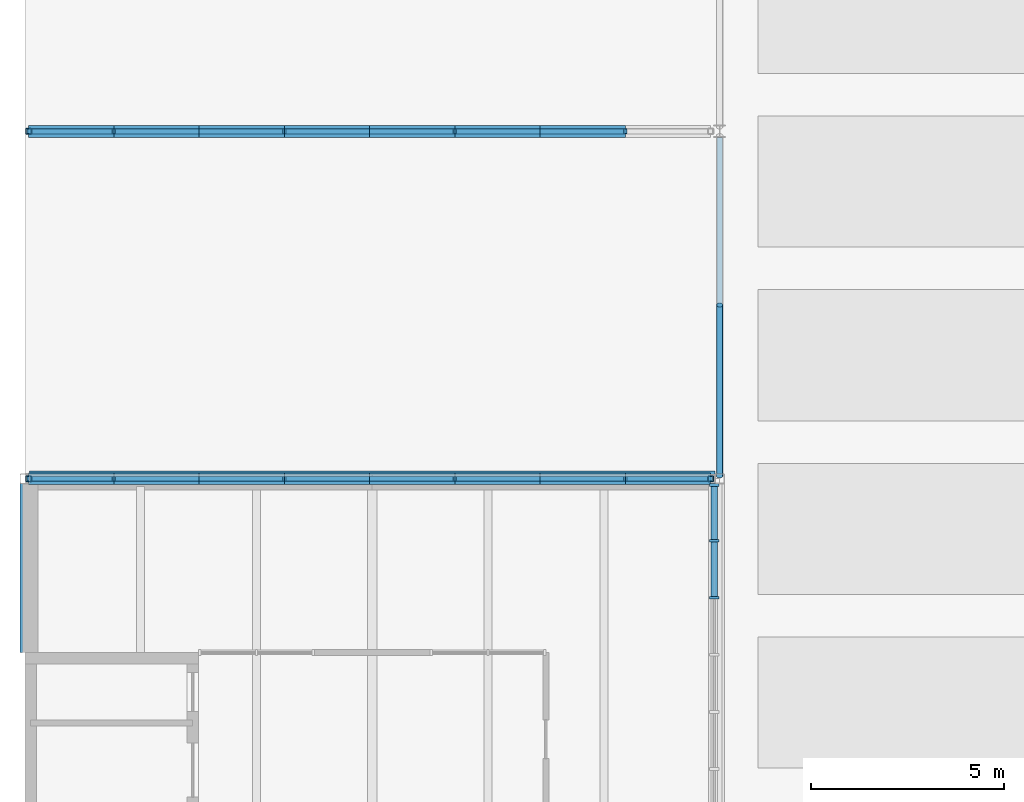
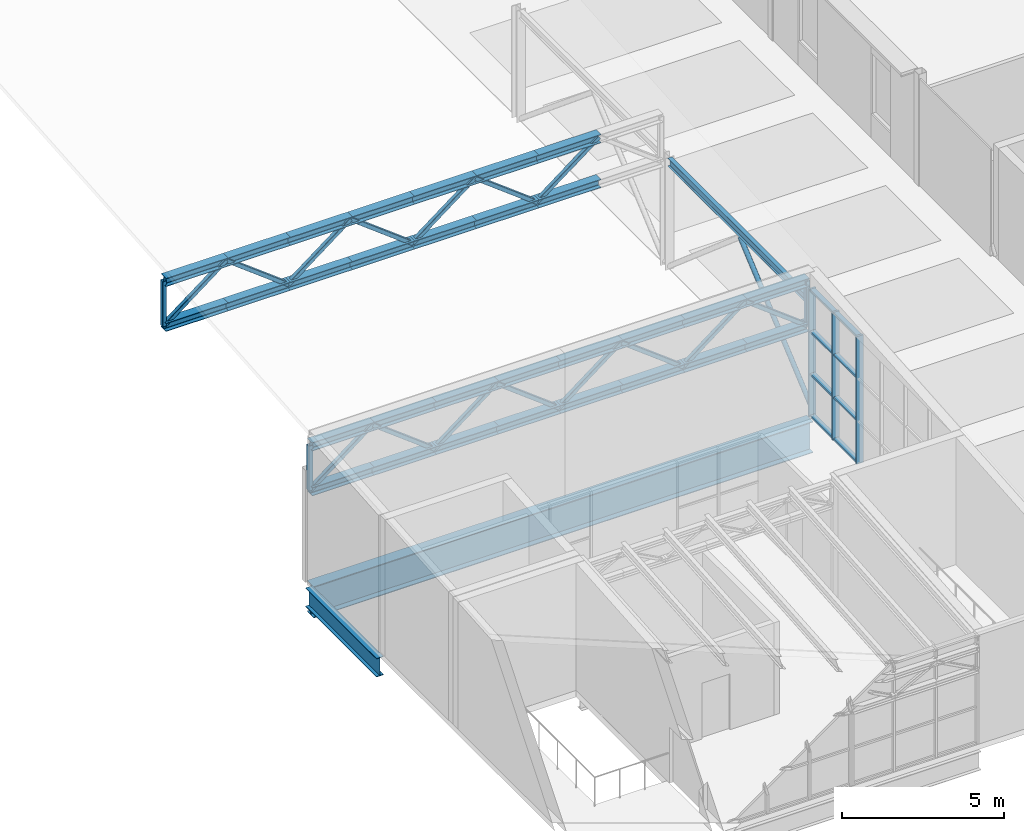
# One storey, part 10 of 61: 60 members, 3 beams, 1 element without a shape of its own.
"""IFC4 building model written with IfcOpenShell, lengths in metres."""

from ifc_helpers import new_model, si_unit, direction, frame, origin, origin_2d, place, context, subcontext, project, spatial, rectangle, hollow_rectangle, hollow_circle, i_section, extrude, material, layer, layer_set, material_profile, profile_set, type_object, element, aggregate, save


model = new_model("IFC4")

# Units and contexts
model_context = context("Model", 3, precision=1e-05, world=origin(), true_north=direction((0.0, 1.0)))
body_context = subcontext(model_context, "Body", "Model", "MODEL_VIEW")
ifc_project = project(units=[si_unit("LENGTHUNIT", "METRE"), si_unit("AREAUNIT", "SQUARE_METRE"), si_unit("VOLUMEUNIT", "CUBIC_METRE"), si_unit("PLANEANGLEUNIT", "RADIAN"), si_unit("MASSUNIT", "GRAM", prefix="KILO")], contexts=[model_context])

# Site, building, storey
site_placement = place(None, origin())
site = spatial("IfcSite", under=ifc_project, at=site_placement, CompositionType="ELEMENT")
building_placement = place(site_placement, origin())
building = spatial("IfcBuilding", under=site, at=building_placement, Name="Halyard Row Museum", CompositionType="ELEMENT")
storey_placement = place(building_placement, frame((0.0, 0.0, 9.199951171875)))
storey = spatial("IfcBuildingStorey", under=building, at=storey_placement, Name="L02", CompositionType="ELEMENT", Elevation=9.199951171875)

# Member
ifc_material_1 = material(Name="Steel Grade C350L0", Category="steel")
ifc_material_profile_1 = material_profile(ifc_material_1, hollow_circle(Radius=0.084228515625, WallThickness=0.007080078125, at=origin_2d()), Name="168.3x7.1CHS")
ifc_profile_set_1 = profile_set([ifc_material_profile_1], Name="Steel Grade C350L0")
member_type_1 = type_object("IfcMemberType", Name="Brace 168.3x7.1CHS", PredefinedType="BRACE", material=ifc_profile_set_1)
member_1_placement = place(storey_placement, frame((18.0, 18.074951171875, 0.084228515625), z_axis=(0.0, 0.762131218853, 0.647422586299), x_axis=(-1.0, 0.0, 0.0)))
element("IfcMember", 1, at=member_1_placement, inside=storey, type_object=member_type_1, Name="Brace L02 X18 18-27 A", PredefinedType="BRACE", context=body_context, shape_type="SweptSolid", body=[
    extrude(hollow_circle(Radius=0.084228515625, WallThickness=0.007080078125, at=origin_2d()), origin(), (0.0, 0.0, 1.0), 5.80615234375),
])

# Beam
ifc_material_2 = material(Name="Steel Grade 300", Category="steel")
ifc_material_profile_2 = material_profile(ifc_material_2, i_section(OverallWidth=0.14892578125, OverallDepth=0.298095703125, WebThickness=0.005615234375, FlangeThickness=0.008056640625, FilletRadius=0.012939453125, at=origin_2d()), Name="310UB32.0")
ifc_profile_set_2 = profile_set([ifc_material_profile_2], Name="Steel Grade 300")
beam_type_1 = type_object("IfcBeamType", Name="Bracing girt 310UB32.0", PredefinedType="BEAM", material=ifc_profile_set_2)
beam_1_placement = place(storey_placement, frame((18.0, 18.125, 4.051025390625), z_axis=(0.0, 1.0, 0.0), x_axis=(-1.0, 0.0, 0.0)))
element("IfcBeam", 2, at=beam_1_placement, inside=storey, type_object=beam_type_1, Name="Auditorium girt L02 18-27", PredefinedType="BEAM", context=body_context, shape_type="SweptSolid", body=[
    extrude(i_section(OverallWidth=0.14892578125, OverallDepth=0.298095703125, WebThickness=0.005615234375, FlangeThickness=0.008056640625, FilletRadius=0.012939453125, at=origin_2d()), origin(), (0.0, 0.0, 1.0), 8.71142578125),
])

# Curtain wall, members
ifc_material_3 = material(Name="Acoustic laminated double glazed unit", Category="glass")
ifc_layer = layer(ifc_material_3, 0.239990234375)
ifc_layer_set = layer_set([ifc_layer], Name="Acoustic laminated double glazed unit")
curtain_wall_type = type_object("IfcCurtainWallType", Name="Curtain wall foyer 240 deep", PredefinedType="NOTDEFINED", material=ifc_layer_set)
curtain_wall_placement = place(storey_placement, origin())
curtain_wall = element("IfcCurtainWall", 3, at=curtain_wall_placement, inside=storey, type_object=curtain_wall_type, Name="Curtain wall CW043", PredefinedType="NOTDEFINED")
ifc_material_4 = material(Name="Powder-coated aluminium section", Category="aluminium")
ifc_material_profile_3 = material_profile(ifc_material_4, rectangle(XDim=0.239990234375, YDim=0.070068359375, at=origin_2d()), Name="240x70 mullion")
ifc_profile_set_3 = profile_set([ifc_material_profile_3], Name="Powder-coated aluminium section")
member_type_2 = type_object("IfcMemberType", Name="Curtain wall mullion CM4 70 x 240", PredefinedType="MULLION", material=ifc_profile_set_3)
member_2_placement = place(storey_placement, frame((17.860107421875, 14.916748046875, 0.0), z_axis=(0.0, 0.0, 1.0), x_axis=(-1.0, 0.0, 0.0)))
member_2 = element("IfcMember", 4, at=member_2_placement, type_object=member_type_2, Name="CW043 mullion 5", PredefinedType="MULLION", context=body_context, shape_type="SweptSolid", body=[
    extrude(rectangle(XDim=0.239990234375, YDim=0.070068359375, at=origin_2d()), origin(), (0.0, 0.0, 1.0), 4.800048828125),
])
member_3_placement = place(storey_placement, frame((17.860107421875, 16.395751953125, 0.0), z_axis=(0.0, 0.0, 1.0), x_axis=(-1.0, 0.0, 0.0)))
member_3 = element("IfcMember", 5, at=member_3_placement, type_object=member_type_2, Name="CW043 mullion 6", PredefinedType="MULLION", context=body_context, shape_type="SweptSolid", body=[
    extrude(rectangle(XDim=0.239990234375, YDim=0.070068359375, at=origin_2d()), origin(), (0.0, 0.0, 1.0), 4.800048828125),
])
member_4_placement = place(storey_placement, frame((17.860107421875, 17.840087890625, 0.0), z_axis=(0.0, 0.0, 1.0), x_axis=(-1.0, 0.0, 0.0)))
member_4 = element("IfcMember", 6, at=member_4_placement, type_object=member_type_2, Name="CW043 mullion 7", PredefinedType="MULLION", context=body_context, shape_type="SweptSolid", body=[
    extrude(rectangle(XDim=0.239990234375, YDim=0.070068359375, at=origin_2d()), origin(), (0.0, 0.0, 1.0), 4.800048828125),
])
ifc_material_5 = material(Name="Powder-coated aluminium section", Category="aluminium")
ifc_material_profile_4 = material_profile(ifc_material_5, rectangle(XDim=0.169921875, YDim=0.070068359375, at=origin_2d()), Name="170x70 transom")
ifc_profile_set_4 = profile_set([ifc_material_profile_4], Name="Powder-coated aluminium section")
member_type_3 = type_object("IfcMemberType", Name="Curtain wall transom CT4 70 x 170", PredefinedType="USERDEFINED", material=ifc_profile_set_4)
member_5_placement = place(storey_placement, frame((17.860107421875, 14.95166015625, 0.03515625), z_axis=(0.0, 1.0, 0.0), x_axis=(-1.0, 0.0, 0.0)))
member_5 = element("IfcMember", 7, at=member_5_placement, type_object=member_type_3, Name="CW043 transom 5.1", ObjectType="TRANSOM", PredefinedType="USERDEFINED", context=body_context, shape_type="SweptSolid", body=[
    extrude(rectangle(XDim=0.169921875, YDim=0.070068359375, at=origin_2d()), origin(), (0.0, 0.0, 1.0), 1.4091796875),
])
member_6_placement = place(storey_placement, frame((17.860107421875, 14.95166015625, 1.60009765625), z_axis=(0.0, 1.0, 0.0), x_axis=(-1.0, 0.0, 0.0)))
member_6 = element("IfcMember", 8, at=member_6_placement, type_object=member_type_3, Name="CW043 transom 5.2", ObjectType="TRANSOM", PredefinedType="USERDEFINED", context=body_context, shape_type="SweptSolid", body=[
    extrude(rectangle(XDim=0.169921875, YDim=0.070068359375, at=origin_2d()), origin(), (0.0, 0.0, 1.0), 1.4091796875),
])
member_7_placement = place(storey_placement, frame((17.860107421875, 14.95166015625, 3.199951171875), z_axis=(0.0, 1.0, 0.0), x_axis=(-1.0, 0.0, 0.0)))
member_7 = element("IfcMember", 9, at=member_7_placement, type_object=member_type_3, Name="CW043 transom 5.3", ObjectType="TRANSOM", PredefinedType="USERDEFINED", context=body_context, shape_type="SweptSolid", body=[
    extrude(rectangle(XDim=0.169921875, YDim=0.070068359375, at=origin_2d()), origin(), (0.0, 0.0, 1.0), 1.4091796875),
])
member_8_placement = place(storey_placement, frame((17.860107421875, 14.95166015625, 4.76513671875), z_axis=(0.0, 1.0, 0.0), x_axis=(-1.0, 0.0, 0.0)))
member_8 = element("IfcMember", 10, at=member_8_placement, type_object=member_type_3, Name="CW043 transom 5.4", ObjectType="TRANSOM", PredefinedType="USERDEFINED", context=body_context, shape_type="SweptSolid", body=[
    extrude(rectangle(XDim=0.169921875, YDim=0.070068359375, at=origin_2d()), origin(), (0.0, 0.0, 1.0), 1.4091796875),
])
member_9_placement = place(storey_placement, frame((17.860107421875, 16.430908203125, 0.03515625), z_axis=(0.0, 1.0, 0.0), x_axis=(-1.0, 0.0, 0.0)))
member_9 = element("IfcMember", 11, at=member_9_placement, type_object=member_type_3, Name="CW043 transom 6.1", ObjectType="TRANSOM", PredefinedType="USERDEFINED", context=body_context, shape_type="SweptSolid", body=[
    extrude(rectangle(XDim=0.169921875, YDim=0.070068359375, at=origin_2d()), origin(), (0.0, 0.0, 1.0), 1.3740234375),
])
member_10_placement = place(storey_placement, frame((17.860107421875, 16.430908203125, 1.60009765625), z_axis=(0.0, 1.0, 0.0), x_axis=(-1.0, 0.0, 0.0)))
member_10 = element("IfcMember", 12, at=member_10_placement, type_object=member_type_3, Name="CW043 transom 6.2", ObjectType="TRANSOM", PredefinedType="USERDEFINED", context=body_context, shape_type="SweptSolid", body=[
    extrude(rectangle(XDim=0.169921875, YDim=0.070068359375, at=origin_2d()), origin(), (0.0, 0.0, 1.0), 1.3740234375),
])
member_11_placement = place(storey_placement, frame((17.860107421875, 16.430908203125, 3.199951171875), z_axis=(0.0, 1.0, 0.0), x_axis=(-1.0, 0.0, 0.0)))
member_11 = element("IfcMember", 13, at=member_11_placement, type_object=member_type_3, Name="CW043 transom 6.3", ObjectType="TRANSOM", PredefinedType="USERDEFINED", context=body_context, shape_type="SweptSolid", body=[
    extrude(rectangle(XDim=0.169921875, YDim=0.070068359375, at=origin_2d()), origin(), (0.0, 0.0, 1.0), 1.3740234375),
])
member_12_placement = place(storey_placement, frame((17.860107421875, 16.430908203125, 4.76513671875), z_axis=(0.0, 1.0, 0.0), x_axis=(-1.0, 0.0, 0.0)))
member_12 = element("IfcMember", 14, at=member_12_placement, type_object=member_type_3, Name="CW043 transom 6.4", ObjectType="TRANSOM", PredefinedType="USERDEFINED", context=body_context, shape_type="SweptSolid", body=[
    extrude(rectangle(XDim=0.169921875, YDim=0.070068359375, at=origin_2d()), origin(), (0.0, 0.0, 1.0), 1.3740234375),
])
aggregate(curtain_wall, [member_2, member_3, member_4, member_5, member_6, member_7, member_8, member_9, member_10, member_11, member_12])

# Beams
ifc_material_6 = material(Name="Steel Grade 300", Category="steel")
ifc_material_profile_5 = material_profile(ifc_material_6, i_section(OverallWidth=0.25, OverallDepth=0.699951171875, WebThickness=0.010009765625, FlangeThickness=0.02001953125, at=origin_2d()), Name="700WB130")
ifc_profile_set_5 = profile_set([ifc_material_profile_5], Name="Steel Grade 300")
beam_type_2 = type_object("IfcBeamType", Name="Edge beam 700WB130 (lowered 35)", PredefinedType="BEAM", material=ifc_profile_set_5)
beam_2_placement = place(storey_placement, frame((0.0, 13.5, -0.550048828125), z_axis=(0.0, 1.0, 0.0), x_axis=(-1.0, 0.0, 0.0)))
element("IfcBeam", 15, at=beam_2_placement, inside=storey, type_object=beam_type_2, Name="Beam L02-045", PredefinedType="BEAM", context=body_context, shape_type="SweptSolid", body=[
    extrude(i_section(OverallWidth=0.25, OverallDepth=0.699951171875, WebThickness=0.010009765625, FlangeThickness=0.02001953125, at=origin_2d()), origin(), (0.0, 0.0, 1.0), 4.375),
])
ifc_material_7 = material(Name="Steel Grade 300", Category="steel")
ifc_material_profile_6 = material_profile(ifc_material_7, i_section(OverallWidth=0.39990234375, OverallDepth=1.176025390625, WebThickness=0.01611328125, FlangeThickness=0.028076171875, at=origin_2d()), Name="1200WB317")
ifc_profile_set_6 = profile_set([ifc_material_profile_6], Name="Steel Grade 300")
beam_type_3 = type_object("IfcBeamType", Name="Long span beam 1200WB317 (lowered 35)", PredefinedType="BEAM", material=ifc_profile_set_6)
beam_3_placement = place(storey_placement, frame((0.125, 18.0, -0.787841796875), z_axis=(1.0, 0.0, 0.0), x_axis=(0.0, 1.0, 0.0)))
element("IfcBeam", 16, at=beam_3_placement, inside=storey, type_object=beam_type_3, Name="Beam L02-011", PredefinedType="BEAM", context=body_context, shape_type="SweptSolid", body=[
    extrude(i_section(OverallWidth=0.39990234375, OverallDepth=1.176025390625, WebThickness=0.01611328125, FlangeThickness=0.028076171875, at=origin_2d()), origin(), (0.0, 0.0, 1.0), 17.75),
])

# Members
ifc_material_8 = material(Name="Steel Grade 300", Category="steel")
ifc_material_profile_7 = material_profile(ifc_material_8, i_section(OverallWidth=0.306884765625, OverallDepth=0.314697265625, WebThickness=0.011962890625, FlangeThickness=0.018798828125, FilletRadius=0.0166015625, at=origin_2d()), Name="310UC118")
ifc_profile_set_7 = profile_set([ifc_material_profile_7], Name="Steel Grade 300")
member_type_4 = type_object("IfcMemberType", Name="Truss chord 310UC118 bottom hall", PredefinedType="CHORD", material=ifc_profile_set_7)
member_13_placement = place(storey_placement, frame((0.10009765625, 18.0, 3.347900390625), z_axis=(1.0, 0.0, 0.0), x_axis=(0.0, 1.0, 0.0)))
element("IfcMember", 17, at=member_13_placement, inside=storey, type_object=member_type_4, Name="V3-RT1 bottom chord 1", PredefinedType="CHORD", context=body_context, shape_type="SweptSolid", body=[
    extrude(i_section(OverallWidth=0.306884765625, OverallDepth=0.314697265625, WebThickness=0.011962890625, FlangeThickness=0.018798828125, FilletRadius=0.0166015625, at=origin_2d()), origin(), (0.0, 0.0, 1.0), 2.20849609375),
])
for number, where, z_axis, x_axis, name in (
    (18, (2.30859375, 18.0, 3.347900390625), (1.0, 0.0, 0.0), (0.0, 1.0, 0.0), "V3-RT1 bottom chord 2"),
    (19, (4.517333984375, 18.0, 3.347900390625), (1.0, 0.0, 0.0), (0.0, 1.0, 0.0), "V3-RT1 bottom chord 3"),
    (20, (6.72607421875, 18.0, 3.347900390625), (1.0, 0.0, 0.0), (0.0, 1.0, 0.0), "V3-RT1 bottom chord 4"),
    (21, (8.934814453125, 18.0, 3.347900390625), (1.0, 0.0, 0.0), (0.0, 1.0, 0.0), "V3-RT1 bottom chord 5"),
):
    element("IfcMember", number, at=place(storey_placement, frame(where, z_axis=z_axis, x_axis=x_axis)), inside=storey, type_object=member_type_4, Name=name, PredefinedType="CHORD", context=body_context, shape_type="SweptSolid", body=[
        extrude(i_section(OverallWidth=0.306884765625, OverallDepth=0.314697265625, WebThickness=0.011962890625, FlangeThickness=0.018798828125, FilletRadius=0.0166015625, at=origin_2d()), origin(), (0.0, 0.0, 1.0), 2.208740234375),
    ])
member_14_placement = place(storey_placement, frame((11.1435546875, 18.0, 3.347900390625), z_axis=(1.0, 0.0, 0.0), x_axis=(0.0, 1.0, 0.0)))
element("IfcMember", 22, at=member_14_placement, inside=storey, type_object=member_type_4, Name="V3-RT1 bottom chord 6", PredefinedType="CHORD", context=body_context, shape_type="SweptSolid", body=[
    extrude(i_section(OverallWidth=0.306884765625, OverallDepth=0.314697265625, WebThickness=0.011962890625, FlangeThickness=0.018798828125, FilletRadius=0.0166015625, at=origin_2d()), origin(), (0.0, 0.0, 1.0), 2.20849609375),
])
for number, where, z_axis, x_axis, name in (
    (23, (13.35205078125, 18.0, 3.347900390625), (1.0, 0.0, 0.0), (0.0, 1.0, 0.0), "V3-RT1 bottom chord 7"),
    (24, (15.560791015625, 18.0, 3.347900390625), (1.0, 0.0, 0.0), (0.0, 1.0, 0.0), "V3-RT1 bottom chord 8"),
):
    element("IfcMember", number, at=place(storey_placement, frame(where, z_axis=z_axis, x_axis=x_axis)), inside=storey, type_object=member_type_4, Name=name, PredefinedType="CHORD", context=body_context, shape_type="SweptSolid", body=[
        extrude(i_section(OverallWidth=0.306884765625, OverallDepth=0.314697265625, WebThickness=0.011962890625, FlangeThickness=0.018798828125, FilletRadius=0.0166015625, at=origin_2d()), origin(), (0.0, 0.0, 1.0), 2.208740234375),
    ])
member_15_placement = place(storey_placement, frame((0.10009765625, 27.0, 4.06787109375), z_axis=(1.0, 0.0, 0.0), x_axis=(0.0, 1.0, 0.0)))
element("IfcMember", 25, at=member_15_placement, inside=storey, type_object=member_type_4, Name="V3-RT2 bottom chord 1", PredefinedType="CHORD", context=body_context, shape_type="SweptSolid", body=[
    extrude(i_section(OverallWidth=0.306884765625, OverallDepth=0.314697265625, WebThickness=0.011962890625, FlangeThickness=0.018798828125, FilletRadius=0.0166015625, at=origin_2d()), origin(), (0.0, 0.0, 1.0), 2.20849609375),
])
for number, where, z_axis, x_axis, name in (
    (26, (2.30859375, 27.0, 4.06787109375), (1.0, 0.0, 0.0), (0.0, 1.0, 0.0), "V3-RT2 bottom chord 2"),
    (27, (4.517333984375, 27.0, 4.06787109375), (1.0, 0.0, 0.0), (0.0, 1.0, 0.0), "V3-RT2 bottom chord 3"),
    (28, (6.72607421875, 27.0, 4.06787109375), (1.0, 0.0, 0.0), (0.0, 1.0, 0.0), "V3-RT2 bottom chord 4"),
    (29, (8.934814453125, 27.0, 4.06787109375), (1.0, 0.0, 0.0), (0.0, 1.0, 0.0), "V3-RT2 bottom chord 5"),
):
    element("IfcMember", number, at=place(storey_placement, frame(where, z_axis=z_axis, x_axis=x_axis)), inside=storey, type_object=member_type_4, Name=name, PredefinedType="CHORD", context=body_context, shape_type="SweptSolid", body=[
        extrude(i_section(OverallWidth=0.306884765625, OverallDepth=0.314697265625, WebThickness=0.011962890625, FlangeThickness=0.018798828125, FilletRadius=0.0166015625, at=origin_2d()), origin(), (0.0, 0.0, 1.0), 2.208740234375),
    ])
member_16_placement = place(storey_placement, frame((11.1435546875, 27.0, 4.06787109375), z_axis=(1.0, 0.0, 0.0), x_axis=(0.0, 1.0, 0.0)))
element("IfcMember", 30, at=member_16_placement, inside=storey, type_object=member_type_4, Name="V3-RT2 bottom chord 6", PredefinedType="CHORD", context=body_context, shape_type="SweptSolid", body=[
    extrude(i_section(OverallWidth=0.306884765625, OverallDepth=0.314697265625, WebThickness=0.011962890625, FlangeThickness=0.018798828125, FilletRadius=0.0166015625, at=origin_2d()), origin(), (0.0, 0.0, 1.0), 2.20849609375),
])
member_17_placement = place(storey_placement, frame((13.35205078125, 27.0, 4.06787109375), z_axis=(1.0, 0.0, 0.0), x_axis=(0.0, 1.0, 0.0)))
element("IfcMember", 31, at=member_17_placement, inside=storey, type_object=member_type_4, Name="V3-RT2 bottom chord 7", PredefinedType="CHORD", context=body_context, shape_type="SweptSolid", body=[
    extrude(i_section(OverallWidth=0.306884765625, OverallDepth=0.314697265625, WebThickness=0.011962890625, FlangeThickness=0.018798828125, FilletRadius=0.0166015625, at=origin_2d()), origin(), (0.0, 0.0, 1.0), 2.208740234375),
])
ifc_material_9 = material(Name="Steel Grade 300", Category="steel")
ifc_material_profile_8 = material_profile(ifc_material_9, i_section(OverallWidth=0.306884765625, OverallDepth=0.314697265625, WebThickness=0.011962890625, FlangeThickness=0.018798828125, FilletRadius=0.0166015625, at=origin_2d()), Name="310UC118")
ifc_profile_set_8 = profile_set([ifc_material_profile_8], Name="Steel Grade 300")
member_type_5 = type_object("IfcMemberType", Name="Truss chord 310UC118 top hall", PredefinedType="CHORD", material=ifc_profile_set_8)
member_18_placement = place(storey_placement, frame((0.10009765625, 18.0, 5.033203125), z_axis=(1.0, 0.0, 0.0), x_axis=(0.0, 1.0, 0.0)))
element("IfcMember", 32, at=member_18_placement, inside=storey, type_object=member_type_5, Name="V3-RT1 top chord 1", PredefinedType="CHORD", context=body_context, shape_type="SweptSolid", body=[
    extrude(i_section(OverallWidth=0.306884765625, OverallDepth=0.314697265625, WebThickness=0.011962890625, FlangeThickness=0.018798828125, FilletRadius=0.0166015625, at=origin_2d()), origin(), (0.0, 0.0, 1.0), 2.20849609375),
])
for number, where, z_axis, x_axis, name in (
    (33, (2.30859375, 18.0, 5.033203125), (1.0, 0.0, 0.0), (0.0, 1.0, 0.0), "V3-RT1 top chord 2"),
    (34, (4.517333984375, 18.0, 5.033203125), (1.0, 0.0, 0.0), (0.0, 1.0, 0.0), "V3-RT1 top chord 3"),
    (35, (6.72607421875, 18.0, 5.033203125), (1.0, 0.0, 0.0), (0.0, 1.0, 0.0), "V3-RT1 top chord 4"),
    (36, (8.934814453125, 18.0, 5.033203125), (1.0, 0.0, 0.0), (0.0, 1.0, 0.0), "V3-RT1 top chord 5"),
):
    element("IfcMember", number, at=place(storey_placement, frame(where, z_axis=z_axis, x_axis=x_axis)), inside=storey, type_object=member_type_5, Name=name, PredefinedType="CHORD", context=body_context, shape_type="SweptSolid", body=[
        extrude(i_section(OverallWidth=0.306884765625, OverallDepth=0.314697265625, WebThickness=0.011962890625, FlangeThickness=0.018798828125, FilletRadius=0.0166015625, at=origin_2d()), origin(), (0.0, 0.0, 1.0), 2.208740234375),
    ])
member_19_placement = place(storey_placement, frame((11.1435546875, 18.0, 5.033203125), z_axis=(1.0, 0.0, 0.0), x_axis=(0.0, 1.0, 0.0)))
element("IfcMember", 37, at=member_19_placement, inside=storey, type_object=member_type_5, Name="V3-RT1 top chord 6", PredefinedType="CHORD", context=body_context, shape_type="SweptSolid", body=[
    extrude(i_section(OverallWidth=0.306884765625, OverallDepth=0.314697265625, WebThickness=0.011962890625, FlangeThickness=0.018798828125, FilletRadius=0.0166015625, at=origin_2d()), origin(), (0.0, 0.0, 1.0), 2.20849609375),
])
for number, where, z_axis, x_axis, name in (
    (38, (13.35205078125, 18.0, 5.033203125), (1.0, 0.0, 0.0), (0.0, 1.0, 0.0), "V3-RT1 top chord 7"),
    (39, (15.560791015625, 18.0, 5.033203125), (1.0, 0.0, 0.0), (0.0, 1.0, 0.0), "V3-RT1 top chord 8"),
):
    element("IfcMember", number, at=place(storey_placement, frame(where, z_axis=z_axis, x_axis=x_axis)), inside=storey, type_object=member_type_5, Name=name, PredefinedType="CHORD", context=body_context, shape_type="SweptSolid", body=[
        extrude(i_section(OverallWidth=0.306884765625, OverallDepth=0.314697265625, WebThickness=0.011962890625, FlangeThickness=0.018798828125, FilletRadius=0.0166015625, at=origin_2d()), origin(), (0.0, 0.0, 1.0), 2.208740234375),
    ])
member_20_placement = place(storey_placement, frame((0.10009765625, 27.0, 5.75341796875), z_axis=(1.0, 0.0, 0.0), x_axis=(0.0, 1.0, 0.0)))
element("IfcMember", 40, at=member_20_placement, inside=storey, type_object=member_type_5, Name="V3-RT2 top chord 1", PredefinedType="CHORD", context=body_context, shape_type="SweptSolid", body=[
    extrude(i_section(OverallWidth=0.306884765625, OverallDepth=0.314697265625, WebThickness=0.011962890625, FlangeThickness=0.018798828125, FilletRadius=0.0166015625, at=origin_2d()), origin(), (0.0, 0.0, 1.0), 2.20849609375),
])
for number, where, z_axis, x_axis, name in (
    (41, (2.30859375, 27.0, 5.75341796875), (1.0, 0.0, 0.0), (0.0, 1.0, 0.0), "V3-RT2 top chord 2"),
    (42, (4.517333984375, 27.0, 5.75341796875), (1.0, 0.0, 0.0), (0.0, 1.0, 0.0), "V3-RT2 top chord 3"),
    (43, (6.72607421875, 27.0, 5.75341796875), (1.0, 0.0, 0.0), (0.0, 1.0, 0.0), "V3-RT2 top chord 4"),
    (44, (8.934814453125, 27.0, 5.75341796875), (1.0, 0.0, 0.0), (0.0, 1.0, 0.0), "V3-RT2 top chord 5"),
):
    element("IfcMember", number, at=place(storey_placement, frame(where, z_axis=z_axis, x_axis=x_axis)), inside=storey, type_object=member_type_5, Name=name, PredefinedType="CHORD", context=body_context, shape_type="SweptSolid", body=[
        extrude(i_section(OverallWidth=0.306884765625, OverallDepth=0.314697265625, WebThickness=0.011962890625, FlangeThickness=0.018798828125, FilletRadius=0.0166015625, at=origin_2d()), origin(), (0.0, 0.0, 1.0), 2.208740234375),
    ])
member_21_placement = place(storey_placement, frame((11.1435546875, 27.0, 5.75341796875), z_axis=(1.0, 0.0, 0.0), x_axis=(0.0, 1.0, 0.0)))
element("IfcMember", 45, at=member_21_placement, inside=storey, type_object=member_type_5, Name="V3-RT2 top chord 6", PredefinedType="CHORD", context=body_context, shape_type="SweptSolid", body=[
    extrude(i_section(OverallWidth=0.306884765625, OverallDepth=0.314697265625, WebThickness=0.011962890625, FlangeThickness=0.018798828125, FilletRadius=0.0166015625, at=origin_2d()), origin(), (0.0, 0.0, 1.0), 2.20849609375),
])
member_22_placement = place(storey_placement, frame((13.35205078125, 27.0, 5.75341796875), z_axis=(1.0, 0.0, 0.0), x_axis=(0.0, 1.0, 0.0)))
element("IfcMember", 46, at=member_22_placement, inside=storey, type_object=member_type_5, Name="V3-RT2 top chord 7", PredefinedType="CHORD", context=body_context, shape_type="SweptSolid", body=[
    extrude(i_section(OverallWidth=0.306884765625, OverallDepth=0.314697265625, WebThickness=0.011962890625, FlangeThickness=0.018798828125, FilletRadius=0.0166015625, at=origin_2d()), origin(), (0.0, 0.0, 1.0), 2.208740234375),
])
ifc_material_10 = material(Name="Steel Grade C350L0", Category="steel")
ifc_material_profile_9 = material_profile(ifc_material_10, hollow_rectangle(XDim=0.14990234375, YDim=0.14990234375, WallThickness=0.008056640625, InnerFilletRadius=0.011962890625, OuterFilletRadius=0.02001953125, at=origin_2d()), Name="150x150x8.0SHS")
ifc_profile_set_9 = profile_set([ifc_material_profile_9], Name="Steel Grade C350L0")
member_type_6 = type_object("IfcMemberType", Name="Truss diagonal 150x150x8.0SHS", PredefinedType="BRACE", material=ifc_profile_set_9)
member_23_placement = place(storey_placement, frame((0.10009765625, 18.0, 3.347900390625), z_axis=(0.794973552339, 0.0, 0.606644089299), x_axis=(0.0, 1.0, 0.0)))
element("IfcMember", 47, at=member_23_placement, inside=storey, type_object=member_type_6, Name="V3-RT1 diagonal 1", PredefinedType="BRACE", context=body_context, shape_type="SweptSolid", body=[
    extrude(hollow_rectangle(XDim=0.14990234375, YDim=0.14990234375, WallThickness=0.008056640625, InnerFilletRadius=0.011962890625, OuterFilletRadius=0.02001953125, at=origin_2d()), origin(), (0.0, 0.0, 1.0), 2.778076171875),
])
for number, where, z_axis, x_axis, name in (
    (48, (2.30859375, 18.0, 5.033203125), (0.795005890739, 0.0, -0.606601709271), (0.0, 1.0, 0.0), "V3-RT1 diagonal 2"),
    (49, (4.517333984375, 18.0, 3.347900390625), (0.795005890739, 0.0, 0.606601709271), (0.0, 1.0, 0.0), "V3-RT1 diagonal 3"),
    (50, (6.72607421875, 18.0, 5.033203125), (0.795005890739, 0.0, -0.606601709271), (0.0, 1.0, 0.0), "V3-RT1 diagonal 4"),
    (51, (8.934814453125, 18.0, 3.347900390625), (0.795005890739, 0.0, 0.606601709271), (0.0, 1.0, 0.0), "V3-RT1 diagonal 5"),
):
    element("IfcMember", number, at=place(storey_placement, frame(where, z_axis=z_axis, x_axis=x_axis)), inside=storey, type_object=member_type_6, Name=name, PredefinedType="BRACE", context=body_context, shape_type="SweptSolid", body=[
        extrude(hollow_rectangle(XDim=0.14990234375, YDim=0.14990234375, WallThickness=0.008056640625, InnerFilletRadius=0.011962890625, OuterFilletRadius=0.02001953125, at=origin_2d()), origin(), (0.0, 0.0, 1.0), 2.7783203125),
    ])
member_24_placement = place(storey_placement, frame((11.1435546875, 18.0, 5.033203125), z_axis=(0.794973552339, 0.0, -0.606644089299), x_axis=(0.0, 1.0, 0.0)))
element("IfcMember", 52, at=member_24_placement, inside=storey, type_object=member_type_6, Name="V3-RT1 diagonal 6", PredefinedType="BRACE", context=body_context, shape_type="SweptSolid", body=[
    extrude(hollow_rectangle(XDim=0.14990234375, YDim=0.14990234375, WallThickness=0.008056640625, InnerFilletRadius=0.011962890625, OuterFilletRadius=0.02001953125, at=origin_2d()), origin(), (0.0, 0.0, 1.0), 2.778076171875),
])
for number, where, z_axis, x_axis, name in (
    (53, (13.35205078125, 18.0, 3.347900390625), (0.795005890739, 0.0, 0.606601709271), (0.0, 1.0, 0.0), "V3-RT1 diagonal 7"),
    (54, (15.560791015625, 18.0, 5.033203125), (0.795005890739, 0.0, -0.606601709271), (0.0, 1.0, 0.0), "V3-RT1 diagonal 8"),
    (55, (0.10009765625, 27.0, 4.06787109375), (0.794931170532, 0.0, 0.606699624293), (0.0, 1.0, 0.0), "V3-RT2 diagonal 1"),
    (56, (2.30859375, 27.0, 5.75341796875), (0.794963513129, 0.0, -0.606657244903), (0.0, 1.0, 0.0), "V3-RT2 diagonal 2"),
    (57, (4.517333984375, 27.0, 4.06787109375), (0.794963513129, 0.0, 0.606657244903), (0.0, 1.0, 0.0), "V3-RT2 diagonal 3"),
    (58, (6.72607421875, 27.0, 5.75341796875), (0.794963513129, 0.0, -0.606657244903), (0.0, 1.0, 0.0), "V3-RT2 diagonal 4"),
    (59, (8.934814453125, 27.0, 4.06787109375), (0.794963513129, 0.0, 0.606657244903), (0.0, 1.0, 0.0), "V3-RT2 diagonal 5"),
    (60, (11.1435546875, 27.0, 5.75341796875), (0.794931170532, 0.0, -0.606699624293), (0.0, 1.0, 0.0), "V3-RT2 diagonal 6"),
    (61, (13.35205078125, 27.0, 4.06787109375), (0.794963513129, 0.0, 0.606657244903), (0.0, 1.0, 0.0), "V3-RT2 diagonal 7"),
):
    element("IfcMember", number, at=place(storey_placement, frame(where, z_axis=z_axis, x_axis=x_axis)), inside=storey, type_object=member_type_6, Name=name, PredefinedType="BRACE", context=body_context, shape_type="SweptSolid", body=[
        extrude(hollow_rectangle(XDim=0.14990234375, YDim=0.14990234375, WallThickness=0.008056640625, InnerFilletRadius=0.011962890625, OuterFilletRadius=0.02001953125, at=origin_2d()), origin(), (0.0, 0.0, 1.0), 2.7783203125),
    ])
ifc_material_11 = material(Name="Steel Grade C350L0", Category="steel")
ifc_material_profile_10 = material_profile(ifc_material_11, hollow_rectangle(XDim=0.14990234375, YDim=0.14990234375, WallThickness=0.008056640625, InnerFilletRadius=0.011962890625, OuterFilletRadius=0.02001953125, at=origin_2d()), Name="150x150x8.0SHS")
ifc_profile_set_10 = profile_set([ifc_material_profile_10], Name="Steel Grade C350L0")
member_type_7 = type_object("IfcMemberType", Name="Truss post 150x150x8.0SHS", PredefinedType="POST", material=ifc_profile_set_10)
for number, where, z_axis, x_axis, name in (
    (62, (0.10009765625, 18.0, 3.347900390625), (0.0, 0.0, 1.0), (1.0, 0.0, 0.0), "V3-RT1 end post 1"),
    (63, (17.76953125, 18.0, 3.347900390625), (0.0, 0.0, 1.0), (1.0, 0.0, 0.0), "V3-RT1 end post 2"),
):
    element("IfcMember", number, at=place(storey_placement, frame(where, z_axis=z_axis, x_axis=x_axis)), inside=storey, type_object=member_type_7, Name=name, PredefinedType="POST", context=body_context, shape_type="SweptSolid", body=[
        extrude(hollow_rectangle(XDim=0.14990234375, YDim=0.14990234375, WallThickness=0.008056640625, InnerFilletRadius=0.011962890625, OuterFilletRadius=0.02001953125, at=origin_2d()), origin(), (0.0, 0.0, 1.0), 1.685302734375),
    ])
member_25_placement = place(storey_placement, frame((0.10009765625, 27.0, 4.06787109375), z_axis=(0.0, 0.0, 1.0), x_axis=(1.0, 0.0, 0.0)))
element("IfcMember", 64, at=member_25_placement, inside=storey, type_object=member_type_7, Name="V3-RT2 end post 1", PredefinedType="POST", context=body_context, shape_type="SweptSolid", body=[
    extrude(hollow_rectangle(XDim=0.14990234375, YDim=0.14990234375, WallThickness=0.008056640625, InnerFilletRadius=0.011962890625, OuterFilletRadius=0.02001953125, at=origin_2d()), origin(), (0.0, 0.0, 1.0), 1.685546875),
])

save(model, "model.ifc")
